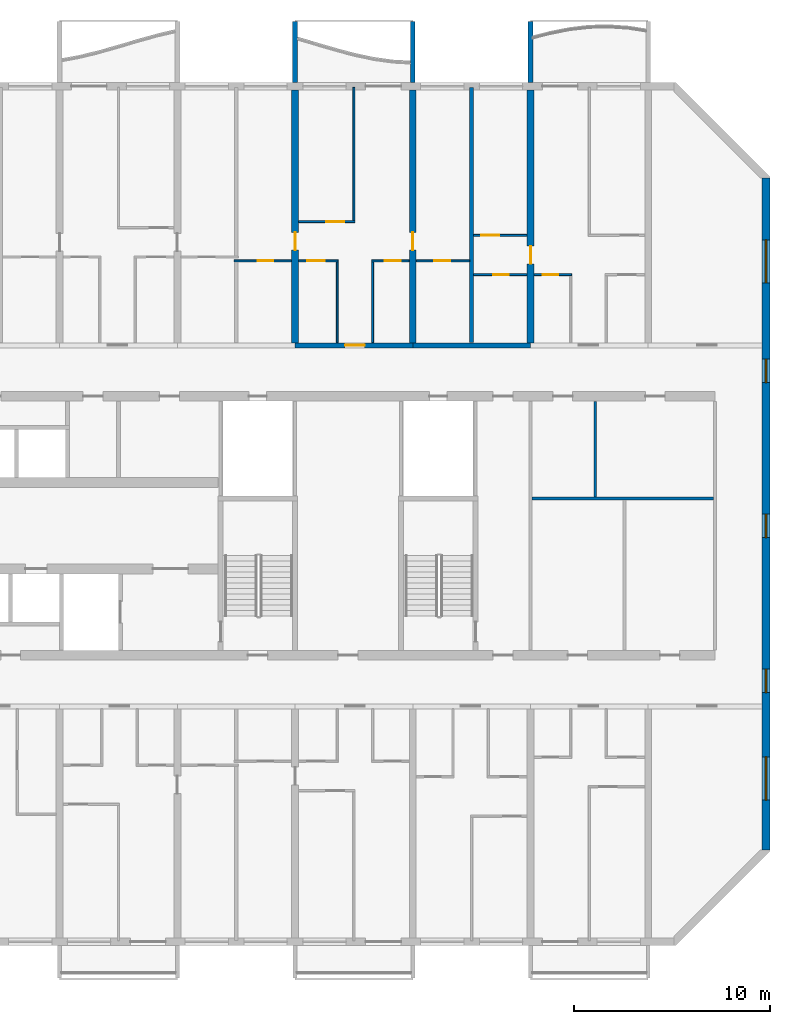
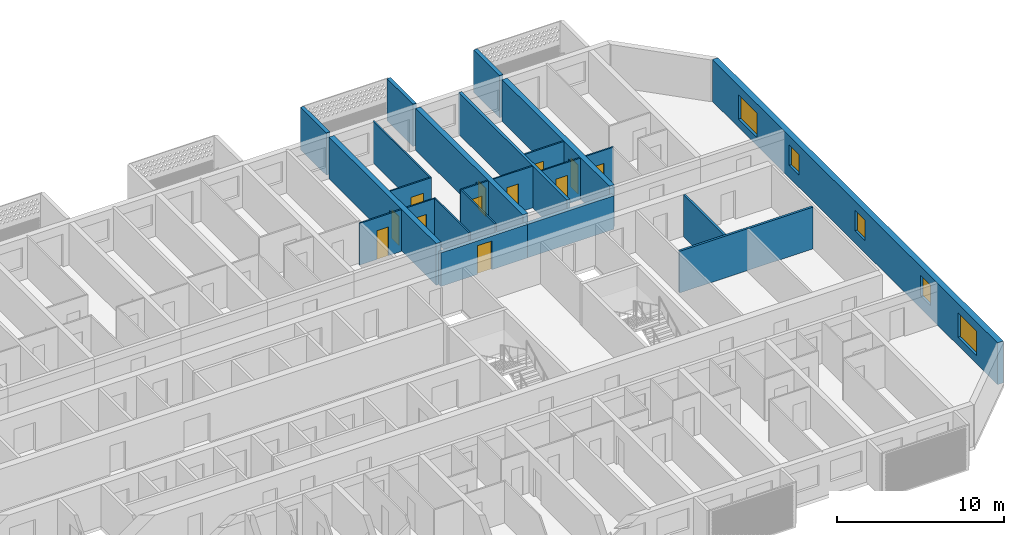
# One storey, part 15 of 31: 23 walls, 12 doors, 5 windows, 17 openings.
"""IFC4 building model written with IfcOpenShell, lengths in metres."""

from ifc_helpers import new_model, si_unit, direction, frame, frame_2d, origin, place, context, subcontext, project, spatial, polyline, rectangle, outline, extrude, source, transform, mapped, material, layer, layer_set, type_object, element, fill, save


model = new_model("IFC4")

# Units and contexts
model_context = context("Model", 3, precision=1e-05, world=origin(), true_north=direction((0.0, 1.0)))
body_context = subcontext(model_context, "Body", "Model", "MODEL_VIEW")
ifc_project = project(units=[si_unit("LENGTHUNIT", "METRE"), si_unit("AREAUNIT", "SQUARE_METRE"), si_unit("VOLUMEUNIT", "CUBIC_METRE"), si_unit("PLANEANGLEUNIT", "RADIAN"), si_unit("MASSUNIT", "GRAM", prefix="KILO")], contexts=[model_context])

# Site, building, storey
site_placement = place(None, origin())
site = spatial("IfcSite", under=ifc_project, at=site_placement, CompositionType="ELEMENT")
building_placement = place(site_placement, origin())
building = spatial("IfcBuilding", under=site, at=building_placement, Name="Poui Terraces", CompositionType="ELEMENT")
storey_placement = place(building_placement, frame((0.0, 0.0, 82.800048828125)))
storey = spatial("IfcBuildingStorey", under=building, at=storey_placement, Name="L22", CompositionType="ELEMENT", Elevation=82.800048828125)

# Wall, opening, door
ifc_material_1 = material(Name="Concrete 65 MPa", Category="concrete")
ifc_layer_1 = layer(ifc_material_1, 0.25)
ifc_layer_set_1 = layer_set([ifc_layer_1], Name="Concrete 65 MPa")
wall_type_1 = type_object("IfcWallType", Name="CORRIDOR WALL 250 65MPa", PredefinedType="SHEAR", material=ifc_layer_set_1)
wall_1_placement = place(storey_placement, frame((72.0, 30.39990234375, 0.0), z_axis=(0.0, 0.0, 1.0), x_axis=(1.0, 0.0, 0.0)))
wall_1 = element("IfcWall", 1, at=wall_1_placement, inside=storey, type_object=wall_type_1, Name="CORRIDOR WALL LINE E BAY 12", PredefinedType="SHEAR", context=body_context, shape_type="SweptSolid", body=[
    extrude(rectangle(XDim=6.0, YDim=0.25, at=frame_2d((3.0, 0.0))), origin(), (0.0, 0.0, 1.0), 2.4599609375),
])
opening_1_placement = place(wall_1_placement, frame((2.550048828125, 0.0, 0.0)))
opening_1 = element("IfcOpeningElement", 2, at=opening_1_placement, cuts=wall_1, Name="Opening FD30S", PredefinedType="OPENING", context=body_context, shape_type="SweptSolid", body=[
    extrude(rectangle(XDim=1.0, YDim=2.10009765625, at=frame_2d((0.5, 1.050048828125))), frame((0.0, 0.135009765625, 0.0), z_axis=(0.0, -1.0, 0.0), x_axis=(1.0, 0.0, 0.0)), (0.0, 0.0, 1.0), 0.27001953125),
])
ifc_material_2 = material(Name="Steel fire door", Category="steel")
door_type_1 = type_object("IfcDoorType", Name="FLAT ENTRANCE DOOR 1000 X 2100", OperationType="NOTDEFINED", PredefinedType="DOOR", material=ifc_material_2)
door_1_placement = place(opening_1_placement, origin())
door_1 = element("IfcDoor", 3, at=door_1_placement, inside=storey, type_object=door_type_1, Name="FLAT ENTRANCE DOOR 074", OperationType="SINGLE_SWING_RIGHT", OverallHeight=2.10009765625, OverallWidth=1.0, PredefinedType="DOOR", context=body_context, shape_type="SweptSolid", body=[
    extrude(rectangle(XDim=1.0, YDim=2.10009765625, at=frame_2d((0.5, 1.050048828125))), frame((0.0, 0.02490234375, 0.0), z_axis=(0.0, -1.0, 0.0), x_axis=(1.0, 0.0, 0.0)), (0.0, 0.0, 1.0), 0.050048828125),
])
fill(opening_1, door_1)

# Wall
wall_2_placement = place(storey_placement, frame((78.0, 30.39990234375, 0.0), z_axis=(0.0, 0.0, 1.0), x_axis=(1.0, 0.0, 0.0)))
element("IfcWall", 4, at=wall_2_placement, inside=storey, type_object=wall_type_1, Name="CORRIDOR WALL LINE E BAY 13", PredefinedType="SHEAR", context=body_context, shape_type="SweptSolid", body=[
    extrude(rectangle(XDim=6.0, YDim=0.25, at=frame_2d((3.0, 0.0))), origin(), (0.0, 0.0, 1.0), 2.4599609375),
])

# Wall, opening, door
ifc_layer_2 = layer(ifc_material_1, 0.35009765625)
ifc_layer_set_2 = layer_set([ifc_layer_2], Name="Concrete 65 MPa")
wall_type_2 = type_object("IfcWallType", Name="CROSS WALL 350 65MPa", PredefinedType="SHEAR", material=ifc_layer_set_2)
wall_3_placement = place(storey_placement, frame((72.0, 30.52490234375, 0.0), z_axis=(0.0, 0.0, 1.0), x_axis=(0.0, 1.0, 0.0)))
wall_3 = element("IfcWall", 5, at=wall_3_placement, inside=storey, type_object=wall_type_2, Name="CROSS WALL LINE 13 NORTH", PredefinedType="SHEAR", context=body_context, shape_type="SweptSolid", body=[
    extrude(rectangle(XDim=12.875, YDim=0.35009765625, at=frame_2d((6.4375, 0.0))), origin(), (0.0, 0.0, 1.0), 3.06005859375),
])
opening_2_placement = place(wall_3_placement, frame((4.72509765625, 0.0, 0.0)))
opening_2 = element("IfcOpeningElement", 6, at=opening_2_placement, cuts=wall_3, Name="Opening D90", PredefinedType="OPENING", context=body_context, shape_type="SweptSolid", body=[
    extrude(rectangle(XDim=0.89990234375, YDim=2.10009765625, at=frame_2d((0.449951171875, 1.050048828125))), frame((0.0, 0.18505859375, 0.0), z_axis=(0.0, -1.0, 0.0), x_axis=(1.0, 0.0, 0.0)), (0.0, 0.0, 1.0), 0.3701171875),
])
ifc_material_3 = material(Name="Solid core timber door", Category="wood")
door_type_2 = type_object("IfcDoorType", Name="INTERNAL DOOR 900 X 2100", OperationType="NOTDEFINED", PredefinedType="DOOR", material=ifc_material_3)
door_2_placement = place(opening_2_placement, origin())
door_2 = element("IfcDoor", 7, at=door_2_placement, inside=storey, type_object=door_type_2, Name="INTERNAL DOOR 071", OperationType="SINGLE_SWING_LEFT", OverallHeight=2.10009765625, OverallWidth=0.89990234375, PredefinedType="DOOR", context=body_context, shape_type="SweptSolid", body=[
    extrude(rectangle(XDim=0.89990234375, YDim=2.10009765625, at=frame_2d((0.449951171875, 1.050048828125))), frame((0.0, 0.02490234375, 0.0), z_axis=(0.0, -1.0, 0.0), x_axis=(1.0, 0.0, 0.0)), (0.0, 0.0, 1.0), 0.050048828125),
])
fill(opening_2, door_2)

wall_4_placement = place(storey_placement, frame((78.0, 30.52490234375, 0.0), z_axis=(0.0, 0.0, 1.0), x_axis=(0.0, 1.0, 0.0)))
wall_4 = element("IfcWall", 8, at=wall_4_placement, inside=storey, type_object=wall_type_2, Name="CROSS WALL LINE 14 NORTH", PredefinedType="SHEAR", context=body_context, shape_type="SweptSolid", body=[
    extrude(rectangle(XDim=12.875, YDim=0.35009765625, at=frame_2d((6.4375, 0.0))), origin(), (0.0, 0.0, 1.0), 3.06005859375),
])
opening_3_placement = place(wall_4_placement, frame((4.72509765625, 0.0, 0.0)))
opening_3 = element("IfcOpeningElement", 9, at=opening_3_placement, cuts=wall_4, Name="Opening D90", PredefinedType="OPENING", context=body_context, shape_type="SweptSolid", body=[
    extrude(rectangle(XDim=0.89990234375, YDim=2.10009765625, at=frame_2d((0.449951171875, 1.050048828125))), frame((0.0, 0.18505859375, 0.0), z_axis=(0.0, -1.0, 0.0), x_axis=(1.0, 0.0, 0.0)), (0.0, 0.0, 1.0), 0.3701171875),
])
door_3_placement = place(opening_3_placement, frame((0.89990234375, 0.0, 0.0), z_axis=(0.0, 0.0, 1.0), x_axis=(-1.0, 0.0, 0.0)))
door_3 = element("IfcDoor", 10, at=door_3_placement, inside=storey, type_object=door_type_2, Name="INTERNAL DOOR 076", OperationType="SINGLE_SWING_RIGHT", OverallHeight=2.10009765625, OverallWidth=0.89990234375, PredefinedType="DOOR", context=body_context, shape_type="SweptSolid", body=[
    extrude(rectangle(XDim=0.89990234375, YDim=2.10009765625, at=frame_2d((0.449951171875, 1.050048828125))), frame((0.0, 0.02490234375, 0.0), z_axis=(0.0, -1.0, 0.0), x_axis=(1.0, 0.0, 0.0)), (0.0, 0.0, 1.0), 0.050048828125),
])
fill(opening_3, door_3)

wall_5_placement = place(storey_placement, frame((84.0, 30.52490234375, 0.0), z_axis=(0.0, 0.0, 1.0), x_axis=(0.0, 1.0, 0.0)))
wall_5 = element("IfcWall", 11, at=wall_5_placement, inside=storey, type_object=wall_type_2, Name="CROSS WALL LINE 15 NORTH", PredefinedType="SHEAR", context=body_context, shape_type="SweptSolid", body=[
    extrude(rectangle(XDim=12.875, YDim=0.35009765625, at=frame_2d((6.4375, 0.0))), origin(), (0.0, 0.0, 1.0), 3.06005859375),
])
opening_4_placement = place(wall_5_placement, frame((4.02490234375, 0.0, 0.0)))
opening_4 = element("IfcOpeningElement", 12, at=opening_4_placement, cuts=wall_5, Name="Opening D90", PredefinedType="OPENING", context=body_context, shape_type="SweptSolid", body=[
    extrude(rectangle(XDim=0.89990234375, YDim=2.10009765625, at=frame_2d((0.449951171875, 1.050048828125))), frame((0.0, 0.18505859375, 0.0), z_axis=(0.0, -1.0, 0.0), x_axis=(1.0, 0.0, 0.0)), (0.0, 0.0, 1.0), 0.3701171875),
])
door_4_placement = place(opening_4_placement, frame((0.89990234375, 0.0, 0.0), z_axis=(0.0, 0.0, 1.0), x_axis=(-1.0, 0.0, 0.0)))
door_4 = element("IfcDoor", 13, at=door_4_placement, inside=storey, type_object=door_type_2, Name="INTERNAL DOOR 079", OperationType="SINGLE_SWING_RIGHT", OverallHeight=2.10009765625, OverallWidth=0.89990234375, PredefinedType="DOOR", context=body_context, shape_type="SweptSolid", body=[
    extrude(rectangle(XDim=0.89990234375, YDim=2.10009765625, at=frame_2d((0.449951171875, 1.050048828125))), frame((0.0, 0.02490234375, 0.0), z_axis=(0.0, -1.0, 0.0), x_axis=(1.0, 0.0, 0.0)), (0.0, 0.0, 1.0), 0.050048828125),
])
fill(opening_4, door_4)

# Wall, openings, windows
ifc_layer_3 = layer(ifc_material_1, 0.39990234375)
ifc_layer_set_3 = layer_set([ifc_layer_3], Name="Concrete 65 MPa")
wall_type_3 = type_object("IfcWallType", Name="END WALL 400 65MPa", PredefinedType="SHEAR", material=ifc_layer_set_3)
wall_6_placement = place(storey_placement, frame((96.0, 4.682861328125, 0.0), z_axis=(0.0, 0.0, 1.0), x_axis=(0.0, 1.0, 0.0)))
wall_6 = element("IfcWall", 14, at=wall_6_placement, inside=storey, type_object=wall_type_3, Name="END WALL EAST", PredefinedType="SHEAR", context=body_context, shape_type="SweptSolid", body=[
    extrude(rectangle(XDim=34.234375, YDim=0.39990234375, at=frame_2d((17.1171875, 0.0))), origin(), (0.0, 0.0, 1.0), 3.06005859375),
])
opening_5_placement = place(wall_6_placement, frame((15.917236328125, 0.0, 0.89990234375)))
opening_5 = element("IfcOpeningElement", 15, at=opening_5_placement, cuts=wall_6, Name="Opening W2", PredefinedType="OPENING", context=body_context, shape_type="SweptSolid", body=[
    extrude(rectangle(XDim=1.199951171875, YDim=1.5, at=frame_2d((0.60009765625, 0.75))), frame((0.0, 0.2099609375, 0.0), z_axis=(0.0, -1.0, 0.0), x_axis=(1.0, 0.0, 0.0)), (0.0, 0.0, 1.0), 0.419921875),
])
opening_6_placement = place(wall_6_placement, frame((23.817138671875, 0.0, 0.89990234375)))
opening_6 = element("IfcOpeningElement", 16, at=opening_6_placement, cuts=wall_6, Name="Opening W2", PredefinedType="OPENING", context=body_context, shape_type="SweptSolid", body=[
    extrude(rectangle(XDim=1.199951171875, YDim=1.5, at=frame_2d((0.60009765625, 0.75))), frame((0.0, 0.2099609375, 0.0), z_axis=(0.0, -1.0, 0.0), x_axis=(1.0, 0.0, 0.0)), (0.0, 0.0, 1.0), 0.419921875),
])
opening_7_placement = place(wall_6_placement, frame((8.01708984375, 0.0, 0.89990234375)))
opening_7 = element("IfcOpeningElement", 17, at=opening_7_placement, cuts=wall_6, Name="Opening W2", PredefinedType="OPENING", context=body_context, shape_type="SweptSolid", body=[
    extrude(rectangle(XDim=1.199951171875, YDim=1.5, at=frame_2d((0.60009765625, 0.75))), frame((0.0, 0.2099609375, 0.0), z_axis=(0.0, -1.0, 0.0), x_axis=(1.0, 0.0, 0.0)), (0.0, 0.0, 1.0), 0.419921875),
])
opening_8_placement = place(wall_6_placement, frame((28.8935546875, 0.0, 0.60009765625)))
opening_8 = element("IfcOpeningElement", 18, at=opening_8_placement, cuts=wall_6, Name="Opening W3", PredefinedType="OPENING", context=body_context, shape_type="SweptSolid", body=[
    extrude(rectangle(XDim=2.199951171875, YDim=1.800048828125, at=frame_2d((1.10009765625, 0.89990234375))), frame((0.0, 0.2099609375, 0.0), z_axis=(0.0, -1.0, 0.0), x_axis=(1.0, 0.0, 0.0)), (0.0, 0.0, 1.0), 0.419921875),
])
opening_9_placement = place(wall_6_placement, frame((2.541015625, 0.0, 0.60009765625)))
opening_9 = element("IfcOpeningElement", 19, at=opening_9_placement, cuts=wall_6, Name="Opening W3", PredefinedType="OPENING", context=body_context, shape_type="SweptSolid", body=[
    extrude(rectangle(XDim=2.199951171875, YDim=1.800048828125, at=frame_2d((1.10009765625, 0.89990234375))), frame((0.0, 0.2099609375, 0.0), z_axis=(0.0, -1.0, 0.0), x_axis=(1.0, 0.0, 0.0)), (0.0, 0.0, 1.0), 0.419921875),
])
ifc_material_4 = material(Name="Clear glass in aluminium frame", Category="aluminium")
window_type_1 = type_object("IfcWindowType", Name="WINDOW 1200X1500", PartitioningType="SINGLE_PANEL", PredefinedType="WINDOW", material=ifc_material_4)
window_1_placement = place(opening_5_placement, origin())
window_1 = element("IfcWindow", 20, at=window_1_placement, inside=storey, type_object=window_type_1, Name="W2 WINDOW", OverallHeight=1.5, OverallWidth=1.199951171875, PartitioningType="SINGLE_PANEL", PredefinedType="WINDOW", context=body_context, shape_type="SweptSolid", body=[
    extrude(rectangle(XDim=1.199951171875, YDim=1.5, at=frame_2d((0.60009765625, 0.75))), frame((0.0, 0.030029296875, 0.0), z_axis=(0.0, -1.0, 0.0), x_axis=(1.0, 0.0, 0.0)), (0.0, 0.0, 1.0), 0.06005859375),
])
fill(opening_5, window_1)
window_2_placement = place(opening_6_placement, origin())
window_2 = element("IfcWindow", 21, at=window_2_placement, inside=storey, type_object=window_type_1, Name="W2 WINDOW", OverallHeight=1.5, OverallWidth=1.199951171875, PartitioningType="SINGLE_PANEL", PredefinedType="WINDOW", context=body_context, shape_type="SweptSolid", body=[
    extrude(rectangle(XDim=1.199951171875, YDim=1.5, at=frame_2d((0.60009765625, 0.75))), frame((0.0, 0.030029296875, 0.0), z_axis=(0.0, -1.0, 0.0), x_axis=(1.0, 0.0, 0.0)), (0.0, 0.0, 1.0), 0.06005859375),
])
fill(opening_6, window_2)
window_3_placement = place(opening_7_placement, origin())
window_3 = element("IfcWindow", 22, at=window_3_placement, inside=storey, type_object=window_type_1, Name="W2 WINDOW", OverallHeight=1.5, OverallWidth=1.199951171875, PartitioningType="SINGLE_PANEL", PredefinedType="WINDOW", context=body_context, shape_type="SweptSolid", body=[
    extrude(rectangle(XDim=1.199951171875, YDim=1.5, at=frame_2d((0.60009765625, 0.75))), frame((0.0, 0.030029296875, 0.0), z_axis=(0.0, -1.0, 0.0), x_axis=(1.0, 0.0, 0.0)), (0.0, 0.0, 1.0), 0.06005859375),
])
fill(opening_7, window_3)
window_type_2 = type_object("IfcWindowType", Name="WINDOW 2200X1800", PartitioningType="DOUBLE_PANEL_HORIZONTAL", PredefinedType="WINDOW", material=ifc_material_4)
window_4_placement = place(opening_8_placement, origin())
window_4 = element("IfcWindow", 23, at=window_4_placement, inside=storey, type_object=window_type_2, Name="W3 WINDOW", OverallHeight=1.800048828125, OverallWidth=2.199951171875, PartitioningType="DOUBLE_PANEL_HORIZONTAL", PredefinedType="WINDOW", context=body_context, shape_type="SweptSolid", body=[
    extrude(rectangle(XDim=2.199951171875, YDim=1.800048828125, at=frame_2d((1.10009765625, 0.89990234375))), frame((0.0, 0.030029296875, 0.0), z_axis=(0.0, -1.0, 0.0), x_axis=(1.0, 0.0, 0.0)), (0.0, 0.0, 1.0), 0.06005859375),
])
fill(opening_8, window_4)
window_5_placement = place(opening_9_placement, origin())
window_5 = element("IfcWindow", 24, at=window_5_placement, inside=storey, type_object=window_type_2, Name="W3 WINDOW", OverallHeight=1.800048828125, OverallWidth=2.199951171875, PartitioningType="DOUBLE_PANEL_HORIZONTAL", PredefinedType="WINDOW", context=body_context, shape_type="SweptSolid", body=[
    extrude(rectangle(XDim=2.199951171875, YDim=1.800048828125, at=frame_2d((1.10009765625, 0.89990234375))), frame((0.0, 0.030029296875, 0.0), z_axis=(0.0, -1.0, 0.0), x_axis=(1.0, 0.0, 0.0)), (0.0, 0.0, 1.0), 0.06005859375),
])
fill(opening_9, window_5)

# Wall, opening, door
ifc_material_5 = material(Name="Plasterboard partition")
ifc_layer_4 = layer(ifc_material_5, 0.10009765625)
ifc_layer_set_4 = layer_set([ifc_layer_4], Name="Plasterboard partition")
wall_type_4 = type_object("IfcWallType", Name="FLAT PARTITION 100", PredefinedType="PARTITIONING", material=ifc_layer_set_4)
wall_7_placement = place(storey_placement, frame((81.10009765625, 34.0, 0.0), z_axis=(0.0, 0.0, 1.0), x_axis=(1.0, 0.0, 0.0)))
wall_7 = element("IfcWall", 25, at=wall_7_placement, inside=storey, type_object=wall_type_4, Name="FLAT PARTITION 100", PredefinedType="PARTITIONING", context=body_context, shape_type="SweptSolid", body=[
    extrude(rectangle(XDim=2.71484375, YDim=0.10009765625, at=frame_2d((1.357421875, 0.0))), origin(), (0.0, 0.0, 1.0), 3.06005859375),
])
opening_10_placement = place(wall_7_placement, frame((1.0, 0.0, 0.0)))
opening_10 = element("IfcOpeningElement", 26, at=opening_10_placement, cuts=wall_7, Name="Opening D80", PredefinedType="OPENING", context=body_context, shape_type="SweptSolid", body=[
    extrude(rectangle(XDim=0.800048828125, YDim=2.10009765625, at=frame_2d((0.39990234375, 1.050048828125))), frame((0.0, 0.06005859375, 0.0), z_axis=(0.0, -1.0, 0.0), x_axis=(1.0, 0.0, 0.0)), (0.0, 0.0, 1.0), 0.1201171875),
])
door_type_3 = type_object("IfcDoorType", Name="BATHROOM, LAUNDRY AND STORE DOOR 800 X 2100", OperationType="NOTDEFINED", PredefinedType="DOOR", material=ifc_material_3)
door_5_placement = place(opening_10_placement, frame((0.800048828125, 0.0, 0.0), z_axis=(0.0, 0.0, 1.0), x_axis=(-1.0, 0.0, 0.0)))
door_5 = element("IfcDoor", 27, at=door_5_placement, inside=storey, type_object=door_type_3, Name="BATHROOM, LAUNDRY AND STORE DOOR 078", OperationType="SINGLE_SWING_LEFT", OverallHeight=2.10009765625, OverallWidth=0.800048828125, PredefinedType="DOOR", context=body_context, shape_type="SweptSolid", body=[
    extrude(rectangle(XDim=0.800048828125, YDim=2.10009765625, at=frame_2d((0.39990234375, 1.050048828125))), frame((0.0, 0.02490234375, 0.0), z_axis=(0.0, -1.0, 0.0), x_axis=(1.0, 0.0, 0.0)), (0.0, 0.0, 1.0), 0.050048828125),
])
fill(opening_10, door_5)

wall_8_placement = place(storey_placement, frame((84.18505859375, 34.0, 0.0), z_axis=(0.0, 0.0, 1.0), x_axis=(1.0, 0.0, 0.0)))
wall_8 = element("IfcWall", 28, at=wall_8_placement, inside=storey, type_object=wall_type_4, Name="FLAT PARTITION 100", PredefinedType="PARTITIONING", context=body_context, shape_type="SweptSolid", body=[
    extrude(rectangle(XDim=1.9150390625, YDim=0.10009765625, at=frame_2d((0.95751953125, 0.0))), origin(), (0.0, 0.0, 1.0), 3.06005859375),
])
opening_11_placement = place(wall_8_placement, frame((0.43994140625, 0.0, 0.0)))
opening_11 = element("IfcOpeningElement", 29, at=opening_11_placement, cuts=wall_8, Name="Opening D80", PredefinedType="OPENING", context=body_context, shape_type="SweptSolid", body=[
    extrude(rectangle(XDim=0.800048828125, YDim=2.10009765625, at=frame_2d((0.39990234375, 1.050048828125))), frame((0.0, 0.06005859375, 0.0), z_axis=(0.0, -1.0, 0.0), x_axis=(1.0, 0.0, 0.0)), (0.0, 0.0, 1.0), 0.1201171875),
])
door_6_placement = place(opening_11_placement, frame((0.800048828125, 0.0, 0.0), z_axis=(0.0, 0.0, 1.0), x_axis=(-1.0, 0.0, 0.0)))
door_6 = element("IfcDoor", 30, at=door_6_placement, inside=storey, type_object=door_type_3, Name="BATHROOM, LAUNDRY AND STORE DOOR 080", OperationType="SINGLE_SWING_RIGHT", OverallHeight=2.10009765625, OverallWidth=0.800048828125, PredefinedType="DOOR", context=body_context, shape_type="SweptSolid", body=[
    extrude(rectangle(XDim=0.800048828125, YDim=2.10009765625, at=frame_2d((0.39990234375, 1.050048828125))), frame((0.0, 0.02490234375, 0.0), z_axis=(0.0, -1.0, 0.0), x_axis=(1.0, 0.0, 0.0)), (0.0, 0.0, 1.0), 0.050048828125),
])
fill(opening_11, door_6)

wall_9_placement = place(storey_placement, frame((68.89990234375, 34.699951171875, 0.0), z_axis=(0.0, 0.0, 1.0), x_axis=(1.0, 0.0, 0.0)))
wall_9 = element("IfcWall", 31, at=wall_9_placement, inside=storey, type_object=wall_type_4, Name="FLAT PARTITION 100", PredefinedType="PARTITIONING", context=body_context, shape_type="SweptSolid", body=[
    extrude(rectangle(XDim=2.9150390625, YDim=0.10009765625, at=frame_2d((1.45751953125, 0.0))), origin(), (0.0, 0.0, 1.0), 3.06005859375),
])
opening_12_placement = place(wall_9_placement, frame((1.199951171875, 0.0, 0.0)))
opening_12 = element("IfcOpeningElement", 32, at=opening_12_placement, cuts=wall_9, Name="Opening D80", PredefinedType="OPENING", context=body_context, shape_type="SweptSolid", body=[
    extrude(rectangle(XDim=0.800048828125, YDim=2.10009765625, at=frame_2d((0.39990234375, 1.050048828125))), frame((0.0, 0.06005859375, 0.0), z_axis=(0.0, -1.0, 0.0), x_axis=(1.0, 0.0, 0.0)), (0.0, 0.0, 1.0), 0.1201171875),
])
door_7_placement = place(opening_12_placement, frame((0.800048828125, 0.0, 0.0), z_axis=(0.0, 0.0, 1.0), x_axis=(-1.0, 0.0, 0.0)))
door_7 = element("IfcDoor", 33, at=door_7_placement, inside=storey, type_object=door_type_3, Name="BATHROOM, LAUNDRY AND STORE DOOR 069", OperationType="SINGLE_SWING_LEFT", OverallHeight=2.10009765625, OverallWidth=0.800048828125, PredefinedType="DOOR", context=body_context, shape_type="SweptSolid", body=[
    extrude(rectangle(XDim=0.800048828125, YDim=2.10009765625, at=frame_2d((0.39990234375, 1.050048828125))), frame((0.0, 0.02490234375, 0.0), z_axis=(0.0, -1.0, 0.0), x_axis=(1.0, 0.0, 0.0)), (0.0, 0.0, 1.0), 0.050048828125),
])
fill(opening_12, door_7)

wall_10_placement = place(storey_placement, frame((72.18505859375, 34.699951171875, 0.0), z_axis=(0.0, 0.0, 1.0), x_axis=(1.0, 0.0, 0.0)))
wall_10 = element("IfcWall", 34, at=wall_10_placement, inside=storey, type_object=wall_type_4, Name="FLAT PARTITION 100", PredefinedType="PARTITIONING", context=body_context, shape_type="SweptSolid", body=[
    extrude(rectangle(XDim=2.014892578125, YDim=0.10009765625, at=frame_2d((1.00732421875, 0.0))), origin(), (0.0, 0.0, 1.0), 3.06005859375),
])
opening_13_placement = place(wall_10_placement, frame((0.43994140625, 0.0, 0.0)))
opening_13 = element("IfcOpeningElement", 35, at=opening_13_placement, cuts=wall_10, Name="Opening D90", PredefinedType="OPENING", context=body_context, shape_type="SweptSolid", body=[
    extrude(rectangle(XDim=0.89990234375, YDim=2.10009765625, at=frame_2d((0.449951171875, 1.050048828125))), frame((0.0, 0.06005859375, 0.0), z_axis=(0.0, -1.0, 0.0), x_axis=(1.0, 0.0, 0.0)), (0.0, 0.0, 1.0), 0.1201171875),
])
door_8_placement = place(opening_13_placement, frame((0.89990234375, 0.0, 0.0), z_axis=(0.0, 0.0, 1.0), x_axis=(-1.0, 0.0, 0.0)))
door_8 = element("IfcDoor", 36, at=door_8_placement, inside=storey, type_object=door_type_2, Name="INTERNAL DOOR 072", OperationType="SINGLE_SWING_LEFT", OverallHeight=2.10009765625, OverallWidth=0.89990234375, PredefinedType="DOOR", context=body_context, shape_type="SweptSolid", body=[
    extrude(rectangle(XDim=0.89990234375, YDim=2.10009765625, at=frame_2d((0.449951171875, 1.050048828125))), frame((0.0, 0.02490234375, 0.0), z_axis=(0.0, -1.0, 0.0), x_axis=(1.0, 0.0, 0.0)), (0.0, 0.0, 1.0), 0.050048828125),
])
fill(opening_13, door_8)

wall_11_placement = place(storey_placement, frame((75.89990234375, 34.699951171875, 0.0), z_axis=(0.0, 0.0, 1.0), x_axis=(1.0, 0.0, 0.0)))
wall_11 = element("IfcWall", 37, at=wall_11_placement, inside=storey, type_object=wall_type_4, Name="FLAT PARTITION 100", PredefinedType="PARTITIONING", context=body_context, shape_type="SweptSolid", body=[
    extrude(rectangle(XDim=1.9150390625, YDim=0.10009765625, at=frame_2d((0.95751953125, 0.0))), origin(), (0.0, 0.0, 1.0), 3.06005859375),
])
opening_14_placement = place(wall_11_placement, frame((0.675048828125, 0.0, 0.0)))
opening_14 = element("IfcOpeningElement", 38, at=opening_14_placement, cuts=wall_11, Name="Opening D80", PredefinedType="OPENING", context=body_context, shape_type="SweptSolid", body=[
    extrude(rectangle(XDim=0.800048828125, YDim=2.10009765625, at=frame_2d((0.39990234375, 1.050048828125))), frame((0.0, 0.06005859375, 0.0), z_axis=(0.0, -1.0, 0.0), x_axis=(1.0, 0.0, 0.0)), (0.0, 0.0, 1.0), 0.1201171875),
])
door_9_placement = place(opening_14_placement, frame((0.800048828125, 0.0, 0.0), z_axis=(0.0, 0.0, 1.0), x_axis=(-1.0, 0.0, 0.0)))
door_9 = element("IfcDoor", 39, at=door_9_placement, inside=storey, type_object=door_type_3, Name="BATHROOM, LAUNDRY AND STORE DOOR 075", OperationType="SINGLE_SWING_RIGHT", OverallHeight=2.10009765625, OverallWidth=0.800048828125, PredefinedType="DOOR", context=body_context, shape_type="SweptSolid", body=[
    extrude(rectangle(XDim=0.800048828125, YDim=2.10009765625, at=frame_2d((0.39990234375, 1.050048828125))), frame((0.0, 0.02490234375, 0.0), z_axis=(0.0, -1.0, 0.0), x_axis=(1.0, 0.0, 0.0)), (0.0, 0.0, 1.0), 0.050048828125),
])
fill(opening_14, door_9)

wall_12_placement = place(storey_placement, frame((78.18505859375, 34.699951171875, 0.0), z_axis=(0.0, 0.0, 1.0), x_axis=(1.0, 0.0, 0.0)))
wall_12 = element("IfcWall", 40, at=wall_12_placement, inside=storey, type_object=wall_type_4, Name="FLAT PARTITION 100", PredefinedType="PARTITIONING", context=body_context, shape_type="SweptSolid", body=[
    extrude(rectangle(XDim=2.71484375, YDim=0.10009765625, at=frame_2d((1.357421875, 0.0))), origin(), (0.0, 0.0, 1.0), 3.06005859375),
])
opening_15_placement = place(wall_12_placement, frame((0.9150390625, 0.0, 0.0)))
opening_15 = element("IfcOpeningElement", 41, at=opening_15_placement, cuts=wall_12, Name="Opening D80", PredefinedType="OPENING", context=body_context, shape_type="SweptSolid", body=[
    extrude(rectangle(XDim=0.800048828125, YDim=2.10009765625, at=frame_2d((0.39990234375, 1.050048828125))), frame((0.0, 0.06005859375, 0.0), z_axis=(0.0, -1.0, 0.0), x_axis=(1.0, 0.0, 0.0)), (0.0, 0.0, 1.0), 0.1201171875),
])
door_10_placement = place(opening_15_placement, frame((0.800048828125, 0.0, 0.0), z_axis=(0.0, 0.0, 1.0), x_axis=(-1.0, 0.0, 0.0)))
door_10 = element("IfcDoor", 42, at=door_10_placement, inside=storey, type_object=door_type_3, Name="BATHROOM, LAUNDRY AND STORE DOOR 070", OperationType="SINGLE_SWING_LEFT", OverallHeight=2.10009765625, OverallWidth=0.800048828125, PredefinedType="DOOR", context=body_context, shape_type="SweptSolid", body=[
    extrude(rectangle(XDim=0.800048828125, YDim=2.10009765625, at=frame_2d((0.39990234375, 1.050048828125))), frame((0.0, 0.02490234375, 0.0), z_axis=(0.0, -1.0, 0.0), x_axis=(1.0, 0.0, 0.0)), (0.0, 0.0, 1.0), 0.050048828125),
])
fill(opening_15, door_10)

wall_13_placement = place(storey_placement, frame((81.10009765625, 36.0, 0.0), z_axis=(0.0, 0.0, 1.0), x_axis=(1.0, 0.0, 0.0)))
wall_13 = element("IfcWall", 43, at=wall_13_placement, inside=storey, type_object=wall_type_4, Name="FLAT PARTITION 100", PredefinedType="PARTITIONING", context=body_context, shape_type="SweptSolid", body=[
    extrude(rectangle(XDim=2.71484375, YDim=0.10009765625, at=frame_2d((1.357421875, 0.0))), origin(), (0.0, 0.0, 1.0), 3.06005859375),
])
opening_16_placement = place(wall_13_placement, frame((0.39990234375, 0.0, 0.0)))
opening_16 = element("IfcOpeningElement", 44, at=opening_16_placement, cuts=wall_13, Name="Opening D90", PredefinedType="OPENING", context=body_context, shape_type="SweptSolid", body=[
    extrude(rectangle(XDim=0.89990234375, YDim=2.10009765625, at=frame_2d((0.449951171875, 1.050048828125))), frame((0.0, 0.06005859375, 0.0), z_axis=(0.0, -1.0, 0.0), x_axis=(1.0, 0.0, 0.0)), (0.0, 0.0, 1.0), 0.1201171875),
])
door_11_placement = place(opening_16_placement, origin())
door_11 = element("IfcDoor", 45, at=door_11_placement, inside=storey, type_object=door_type_2, Name="INTERNAL DOOR 077", OperationType="SINGLE_SWING_LEFT", OverallHeight=2.10009765625, OverallWidth=0.89990234375, PredefinedType="DOOR", context=body_context, shape_type="SweptSolid", body=[
    extrude(rectangle(XDim=0.89990234375, YDim=2.10009765625, at=frame_2d((0.449951171875, 1.050048828125))), frame((0.0, 0.02490234375, 0.0), z_axis=(0.0, -1.0, 0.0), x_axis=(1.0, 0.0, 0.0)), (0.0, 0.0, 1.0), 0.050048828125),
])
fill(opening_16, door_11)

wall_14_placement = place(storey_placement, frame((72.18505859375, 36.699951171875, 0.0), z_axis=(0.0, 0.0, 1.0), x_axis=(1.0, 0.0, 0.0)))
wall_14 = element("IfcWall", 46, at=wall_14_placement, inside=storey, type_object=wall_type_4, Name="FLAT PARTITION 100", PredefinedType="PARTITIONING", context=body_context, shape_type="SweptSolid", body=[
    extrude(rectangle(XDim=2.864990234375, YDim=0.10009765625, at=frame_2d((1.4326171875, 0.0))), origin(), (0.0, 0.0, 1.0), 3.06005859375),
])
opening_17_placement = place(wall_14_placement, frame((1.4150390625, 0.0, 0.0)))
opening_17 = element("IfcOpeningElement", 47, at=opening_17_placement, cuts=wall_14, Name="Opening D90", PredefinedType="OPENING", context=body_context, shape_type="SweptSolid", body=[
    extrude(rectangle(XDim=0.89990234375, YDim=2.10009765625, at=frame_2d((0.449951171875, 1.050048828125))), frame((0.0, 0.06005859375, 0.0), z_axis=(0.0, -1.0, 0.0), x_axis=(1.0, 0.0, 0.0)), (0.0, 0.0, 1.0), 0.1201171875),
])
door_12_placement = place(opening_17_placement, frame((0.89990234375, 0.0, 0.0), z_axis=(0.0, 0.0, 1.0), x_axis=(-1.0, 0.0, 0.0)))
door_12 = element("IfcDoor", 48, at=door_12_placement, inside=storey, type_object=door_type_2, Name="INTERNAL DOOR 073", OperationType="SINGLE_SWING_RIGHT", OverallHeight=2.10009765625, OverallWidth=0.89990234375, PredefinedType="DOOR", context=body_context, shape_type="SweptSolid", body=[
    extrude(rectangle(XDim=0.89990234375, YDim=2.10009765625, at=frame_2d((0.449951171875, 1.050048828125))), frame((0.0, 0.02490234375, 0.0), z_axis=(0.0, -1.0, 0.0), x_axis=(1.0, 0.0, 0.0)), (0.0, 0.0, 1.0), 0.050048828125),
])
fill(opening_17, door_12)

# Walls
wall_15_placement = place(storey_placement, frame((74.14990234375, 30.534912109375, 0.0), z_axis=(0.0, 0.0, 1.0), x_axis=(0.0, 1.0, 0.0)))
element("IfcWall", 49, at=wall_15_placement, inside=storey, type_object=wall_type_4, Name="FLAT PARTITION 100", PredefinedType="PARTITIONING", context=body_context, shape_type="SweptSolid", body=[
    extrude(rectangle(XDim=4.114990234375, YDim=0.10009765625, at=frame_2d((2.0576171875, 0.0))), origin(), (0.0, 0.0, 1.0), 3.06005859375),
])
wall_16_placement = place(storey_placement, frame((75.0, 36.75, 0.0), z_axis=(0.0, 0.0, 1.0), x_axis=(0.0, 1.0, 0.0)))
element("IfcWall", 50, at=wall_16_placement, inside=storey, type_object=wall_type_4, Name="FLAT PARTITION 100", PredefinedType="PARTITIONING", context=body_context, shape_type="SweptSolid", body=[
    extrude(rectangle(XDim=6.7900390625, YDim=0.10009765625, at=frame_2d((3.39501953125, 0.0))), origin(), (0.0, 0.0, 1.0), 3.06005859375),
])
wall_17_placement = place(storey_placement, frame((75.949951171875, 30.534912109375, 0.0), z_axis=(0.0, 0.0, 1.0), x_axis=(0.0, 1.0, 0.0)))
element("IfcWall", 51, at=wall_17_placement, inside=storey, type_object=wall_type_4, Name="FLAT PARTITION 100", PredefinedType="PARTITIONING", context=body_context, shape_type="SweptSolid", body=[
    extrude(rectangle(XDim=4.114990234375, YDim=0.10009765625, at=frame_2d((2.0576171875, 0.0))), origin(), (0.0, 0.0, 1.0), 3.06005859375),
])
ifc_material_6 = material(Name="Fire-rated masonry wall", Category="masonry")
ifc_layer_5 = layer(ifc_material_6, 0.199951171875)
ifc_layer_set_5 = layer_set([ifc_layer_5], Name="Fire-rated masonry wall")
wall_type_5 = type_object("IfcWallType", Name="FLAT PARTY WALL 200", PredefinedType="PARTITIONING", material=ifc_layer_set_5)
wall_18_placement = place(storey_placement, frame((81.0, 30.534912109375, 0.0), z_axis=(0.0, 0.0, 1.0), x_axis=(0.0, 1.0, 0.0)))
element("IfcWall", 52, at=wall_18_placement, inside=storey, type_object=wall_type_5, Name="FLAT PARTY WALL 200", PredefinedType="PARTITIONING", context=body_context, shape_type="SweptSolid", body=[
    extrude(rectangle(XDim=13.005126953125, YDim=0.199951171875, at=frame_2d((6.50244140625, 0.0))), origin(), (0.0, 0.0, 1.0), 3.06005859375),
])
ifc_layer_6 = layer(ifc_material_5, 0.14990234375)
ifc_layer_set_6 = layer_set([ifc_layer_6], Name="Plasterboard partition")
wall_type_6 = type_object("IfcWallType", Name="PARTITION WALL 150", PredefinedType="PARTITIONING", material=ifc_layer_set_6)
wall_19_placement = place(storey_placement, frame((84.074951171875, 22.60009765625, 0.0), z_axis=(0.0, 0.0, 1.0), x_axis=(1.0, 0.0, 0.0)))
element("IfcWall", 53, at=wall_19_placement, inside=storey, type_object=wall_type_6, Name="PARTITION WALL 150", PredefinedType="PARTITIONING", context=body_context, shape_type="SweptSolid", body=[
    extrude(rectangle(XDim=9.25, YDim=0.14990234375, at=frame_2d((4.625, 0.0))), origin(), (0.0, 0.0, 1.0), 3.06005859375),
])
wall_20_placement = place(storey_placement, frame((87.300048828125, 22.675048828125, 0.0), z_axis=(0.0, 0.0, 1.0), x_axis=(0.0, 1.0, 0.0)))
element("IfcWall", 54, at=wall_20_placement, inside=storey, type_object=wall_type_6, Name="PARTITION WALL 150", PredefinedType="PARTITIONING", context=body_context, shape_type="SweptSolid", body=[
    extrude(rectangle(XDim=4.864990234375, YDim=0.14990234375, at=frame_2d((2.4326171875, 0.0))), origin(), (0.0, 0.0, 1.0), 3.06005859375),
])
ifc_material_7 = material(Name="Precast concrete 40 MPa", Category="concrete")
ifc_layer_7 = layer(ifc_material_7, 0.25)
ifc_layer_set_7 = layer_set([ifc_layer_7], Name="Precast concrete 40 MPa")
wall_type_7 = type_object("IfcWallType", Name="BALCONY FIN 250", PredefinedType="STANDARD", material=ifc_layer_set_7)
shared_shape = source(origin(), body_context, "Body", "SweptSolid", [
    extrude(outline(polyline([(0.0, 0.0), (0.25, 0.0), (0.25, 3.099853515625), (0.0, 3.099853515625), (0.0, 0.0)])), origin(), (0.0, 0.0, 1.0), 3.099853515625),
])
for number, where, name in (
    (55, (71.875, 43.800048828125, 0.0), "BALCONY FIN"),
    (56, (77.875, 43.800048828125, 0.0), "BALCONY FIN"),
    (57, (83.875, 43.800048828125, 0.0), "BALCONY FIN"),
):
    element("IfcWall", number, at=place(storey_placement, frame(where)), inside=storey, type_object=wall_type_7, Name=name, PredefinedType="STANDARD", context=body_context, shape_type="MappedRepresentation", body=[
        mapped(shared_shape, transform((0.0, 0.0, 0.0))),
    ])

save(model, "model.ifc")
